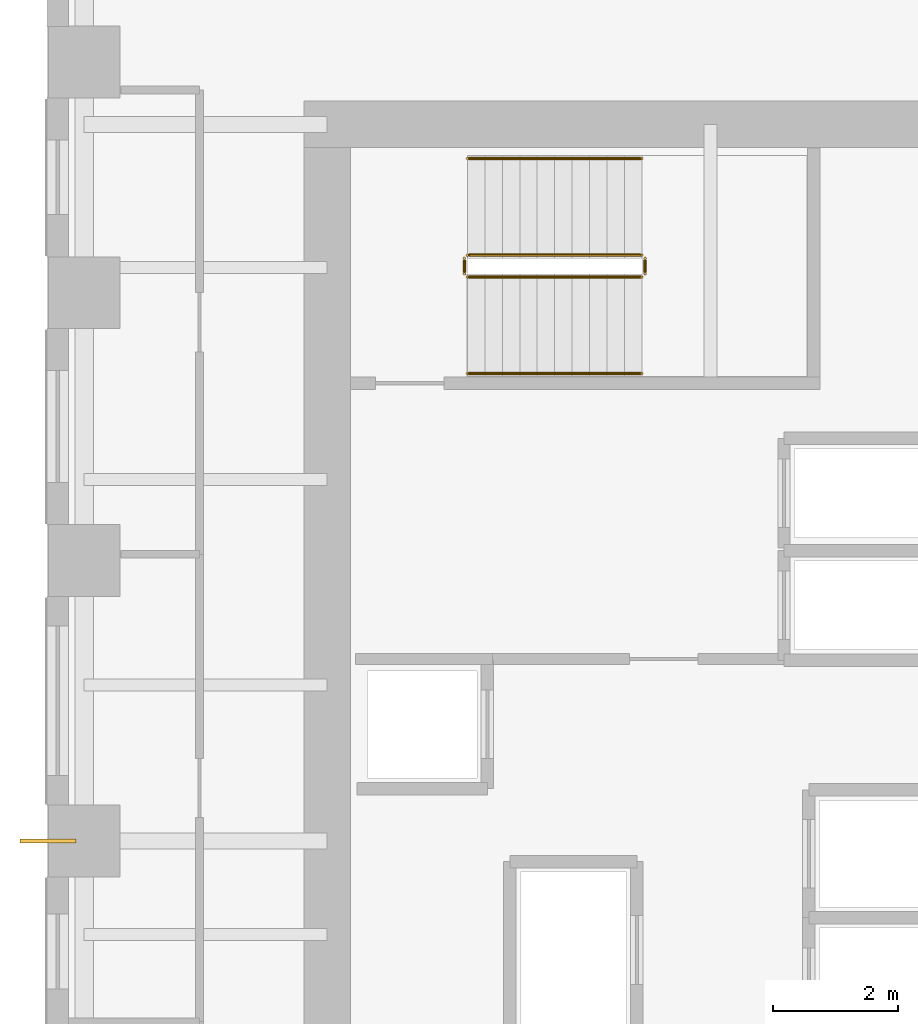
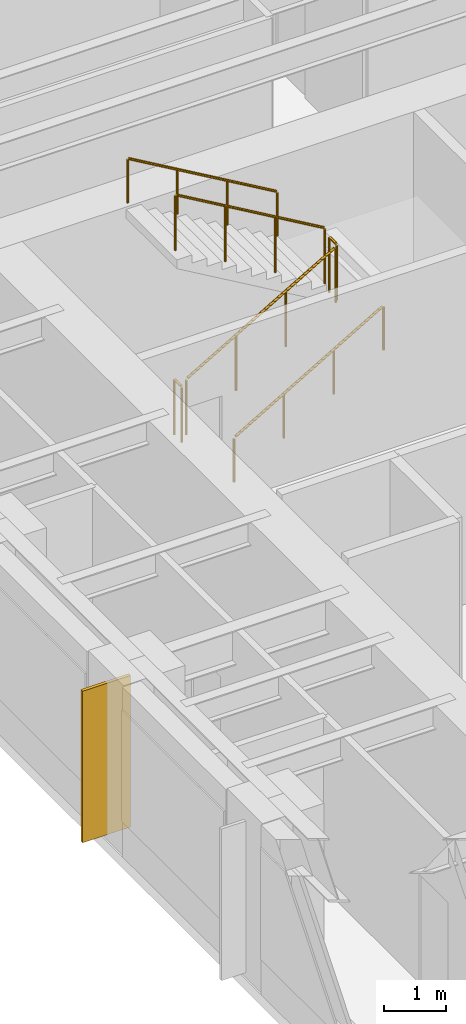
# One storey, part 11 of 12: 6 railings, 1 covering.
"""IFC4 building model written with IfcOpenShell, lengths in metres."""

from ifc_helpers import new_model, si_unit, direction, frame, origin, origin_2d, place, context, subcontext, project, spatial, rectangle, circle, extrude, source, transform, mapped, material, layer, layer_set, type_object, element, save


model = new_model("IFC4")

# Units and contexts
model_context = context("Model", 3, precision=1e-05, world=origin(), true_north=direction((0.0, 1.0)))
body_context = subcontext(model_context, "Body", "Model", "MODEL_VIEW")
ifc_project = project(units=[si_unit("LENGTHUNIT", "METRE"), si_unit("AREAUNIT", "SQUARE_METRE"), si_unit("VOLUMEUNIT", "CUBIC_METRE"), si_unit("PLANEANGLEUNIT", "RADIAN"), si_unit("MASSUNIT", "GRAM", prefix="KILO")], contexts=[model_context])

# Site, building, storey
site_placement = place(None, origin())
site = spatial("IfcSite", under=ifc_project, at=site_placement, CompositionType="ELEMENT")
building_placement = place(site_placement, origin())
building = spatial("IfcBuilding", under=site, at=building_placement, Name="Kharzan Plaza Tower", CompositionType="ELEMENT")
storey_placement = place(building_placement, frame((0.0, 0.0, 91.800048828125)))
storey = spatial("IfcBuildingStorey", under=building, at=storey_placement, Name="L24", CompositionType="ELEMENT", Elevation=91.800048828125)

# Railings
ifc_material_1 = material(Name="Painted Galvanized Architectural Steel", Category="steel")
ifc_layer_1 = layer(ifc_material_1, 0.074951171875)
ifc_layer_set_1 = layer_set([ifc_layer_1], Name="Painted Galvanized Architectural Steel")
railing_type_1 = type_object("IfcRailingType", Name="RL-GUARD-1120", PredefinedType="BALUSTRADE", material=ifc_layer_set_1)
shared_shape_1 = source(origin(), body_context, "Body", "SweptSolid", [
    extrude(circle(Radius=0.02392578125, at=origin_2d()), frame((0.0, 0.0263671875, 1.09619140625), z_axis=(0.0, 1.0, 0.0), x_axis=(-1.0, 0.0, 0.0)), (0.0, 0.0, 1.0), 0.197021484375),
    extrude(circle(Radius=0.02099609375, at=origin_2d()), origin(), (0.0, 0.0, 1.0), 1.072021484375),
    extrude(circle(Radius=0.02099609375, at=origin_2d()), frame((0.0, 0.25, 0.0)), (0.0, 0.0, 1.0), 1.072021484375),
])
for number, where, name in (
    (1, (9.60009765625, 27.10009765625, 1.800048828125), "L24 ST-2 stair guard 2"),
    (2, (6.699951171875, 27.10009765625, 0.0), "L24 ST-2 stair guard 4"),
):
    element("IfcRailing", number, at=place(storey_placement, frame(where)), inside=storey, type_object=railing_type_1, Name=name, PredefinedType="BALUSTRADE", context=body_context, shape_type="MappedRepresentation", body=[
        mapped(shared_shape_1, transform((0.0, 0.0, 0.0), x_axis=(1.0, 0.0, 0.0), y_axis=(0.0, 1.0, 0.0), z_axis=(0.0, 0.0, 1.0))),
    ])

# Covering
ifc_material_2 = material(Name="Honed Riyadh Limestone", Category="masonry")
ifc_layer_2 = layer(ifc_material_2, 0.06005859375)
ifc_layer_set_2 = layer_set([ifc_layer_2], Name="Honed Riyadh Limestone")
covering_type = type_object("IfcCoveringType", Name="COV-CLAD-STONE", PredefinedType="CLADDING", material=ifc_layer_set_2)
shared_shape_2 = source(origin(), body_context, "Body", "SweptSolid", [
    extrude(rectangle(XDim=0.06005859375, YDim=0.89990234375, at=origin_2d()), origin(), (0.0, 0.0, 1.0), 3.0),
])
covering_placement = place(storey_placement, frame((0.02001953125, 18.0, 0.099853515625), z_axis=(0.0, 0.0, 1.0), x_axis=(0.0, 1.0, 0.0)))
element("IfcCovering", 3, at=covering_placement, inside=storey, type_object=covering_type, Name="L24 Limestone Pier Rainscreen Cladding TCW-180", PredefinedType="CLADDING", context=body_context, shape_type="MappedRepresentation", body=[
    mapped(shared_shape_2, transform((0.0, 0.0, 0.0), x_axis=(1.0, 0.0, 0.0), y_axis=(0.0, 1.0, 0.0), z_axis=(0.0, 0.0, 1.0))),
])

# Railings
shared_shape_3 = source(origin(), body_context, "Body", "SweptSolid", [
    extrude(circle(Radius=0.02392578125, at=origin_2d()), frame((0.02294921875, 0.0, 1.109375), z_axis=(0.863360870873, 0.0, 0.504586966384), x_axis=(0.0, 1.0, 0.0)), (0.0, 0.0, 1.0), 3.190185546875),
    extrude(circle(Radius=0.02099609375, at=origin_2d()), origin(), (0.0, 0.0, 1.0), 1.072021484375),
    extrude(circle(Radius=0.02099609375, at=origin_2d()), frame((0.933349609375, 0.0, 0.54541015625)), (0.0, 0.0, 1.0), 1.072021484375),
    extrude(circle(Radius=0.02099609375, at=origin_2d()), frame((1.86669921875, 0.0, 1.091064453125)), (0.0, 0.0, 1.0), 1.072021484375),
    extrude(circle(Radius=0.02099609375, at=origin_2d()), frame((2.800048828125, 0.0, 1.636474609375)), (0.0, 0.0, 1.0), 1.072021484375),
])
railing_1_placement = place(storey_placement, frame((6.75, 27.050048828125, 0.16357421875)))
element("IfcRailing", 4, at=railing_1_placement, inside=storey, type_object=railing_type_1, Name="L24 ST-2 stair guard 1", PredefinedType="BALUSTRADE", context=body_context, shape_type="MappedRepresentation", body=[
    mapped(shared_shape_3, transform((0.0, 0.0, 0.0), x_axis=(1.0, 0.0, 0.0), y_axis=(0.0, 1.0, 0.0), z_axis=(0.0, 0.0, 1.0))),
])
ifc_material_3 = material(Name="Brushed Stainless Steel", Category="steel")
ifc_layer_3 = layer(ifc_material_3, 0.050048828125)
ifc_layer_set_3 = layer_set([ifc_layer_3], Name="Brushed Stainless Steel")
railing_type_2 = type_object("IfcRailingType", Name="RL-STAIR-HR920", PredefinedType="HANDRAIL", material=ifc_layer_set_3)
shared_shape_4 = source(origin(), body_context, "Body", "SweptSolid", [
    extrude(circle(Radius=0.02392578125, at=origin_2d()), frame((0.02294921875, 0.0, 0.88916015625), z_axis=(0.863360870873, 0.0, 0.504586966384), x_axis=(0.0, 1.0, 0.0)), (0.0, 0.0, 1.0), 3.190185546875),
    extrude(circle(Radius=0.02099609375, at=origin_2d()), origin(), (0.0, 0.0, 1.0), 0.851806640625),
    extrude(circle(Radius=0.02099609375, at=origin_2d()), frame((0.933349609375, 0.0, 0.54541015625)), (0.0, 0.0, 1.0), 0.851806640625),
    extrude(circle(Radius=0.02099609375, at=origin_2d()), frame((1.86669921875, 0.0, 1.091064453125)), (0.0, 0.0, 1.0), 0.851806640625),
    extrude(circle(Radius=0.02099609375, at=origin_2d()), frame((2.800048828125, 0.0, 1.636474609375)), (0.0, 0.0, 1.0), 0.851806640625),
])
railing_2_placement = place(storey_placement, frame((6.75, 25.5, 0.16357421875)))
element("IfcRailing", 5, at=railing_2_placement, inside=storey, type_object=railing_type_2, Name="L24 ST-2 stair handrail 1", PredefinedType="HANDRAIL", context=body_context, shape_type="MappedRepresentation", body=[
    mapped(shared_shape_4, transform((0.0, 0.0, 0.0), x_axis=(1.0, 0.0, 0.0), y_axis=(0.0, 1.0, 0.0), z_axis=(0.0, 0.0, 1.0))),
])
shared_shape_5 = source(origin(), body_context, "Body", "SweptSolid", [
    extrude(circle(Radius=0.02392578125, at=origin_2d()), frame((-0.02294921875, 0.0, 1.109375), z_axis=(-0.863393664356, 0.0, 0.504530851732), x_axis=(0.0, -1.0, 0.0)), (0.0, 0.0, 1.0), 3.190185546875),
    extrude(circle(Radius=0.02099609375, at=origin_2d()), origin(), (0.0, 0.0, 1.0), 1.072021484375),
    extrude(circle(Radius=0.02099609375, at=origin_2d()), frame((-0.933349609375, 0.0, 0.54541015625)), (0.0, 0.0, 1.0), 1.072021484375),
    extrude(circle(Radius=0.02099609375, at=origin_2d()), frame((-1.86669921875, 0.0, 1.0908203125)), (0.0, 0.0, 1.0), 1.072021484375),
    extrude(circle(Radius=0.02099609375, at=origin_2d()), frame((-2.800048828125, 0.0, 1.63623046875)), (0.0, 0.0, 1.0), 1.072021484375),
])
railing_3_placement = place(storey_placement, frame((9.550048828125, 27.39990234375, 1.963623046875)))
element("IfcRailing", 6, at=railing_3_placement, inside=storey, type_object=railing_type_1, Name="L24 ST-2 stair guard 3", PredefinedType="BALUSTRADE", context=body_context, shape_type="MappedRepresentation", body=[
    mapped(shared_shape_5, transform((0.0, 0.0, 0.0), x_axis=(1.0, 0.0, 0.0), y_axis=(0.0, 1.0, 0.0), z_axis=(0.0, 0.0, 1.0))),
])
shared_shape_6 = source(origin(), body_context, "Body", "SweptSolid", [
    extrude(circle(Radius=0.02392578125, at=origin_2d()), frame((-0.02294921875, 0.0, 0.88916015625), z_axis=(-0.863393664356, 0.0, 0.504530851732), x_axis=(0.0, -1.0, 0.0)), (0.0, 0.0, 1.0), 3.190185546875),
    extrude(circle(Radius=0.02099609375, at=origin_2d()), origin(), (0.0, 0.0, 1.0), 0.851806640625),
    extrude(circle(Radius=0.02099609375, at=origin_2d()), frame((-0.933349609375, 0.0, 0.54541015625)), (0.0, 0.0, 1.0), 0.851806640625),
    extrude(circle(Radius=0.02099609375, at=origin_2d()), frame((-1.86669921875, 0.0, 1.0908203125)), (0.0, 0.0, 1.0), 0.851806640625),
    extrude(circle(Radius=0.02099609375, at=origin_2d()), frame((-2.800048828125, 0.0, 1.63623046875)), (0.0, 0.0, 1.0), 0.851806640625),
])
railing_4_placement = place(storey_placement, frame((9.550048828125, 28.949951171875, 1.963623046875)))
element("IfcRailing", 7, at=railing_4_placement, inside=storey, type_object=railing_type_2, Name="L24 ST-2 stair handrail 2", PredefinedType="HANDRAIL", context=body_context, shape_type="MappedRepresentation", body=[
    mapped(shared_shape_6, transform((0.0, 0.0, 0.0), x_axis=(1.0, 0.0, 0.0), y_axis=(0.0, 1.0, 0.0), z_axis=(0.0, 0.0, 1.0))),
])

save(model, "model.ifc")
